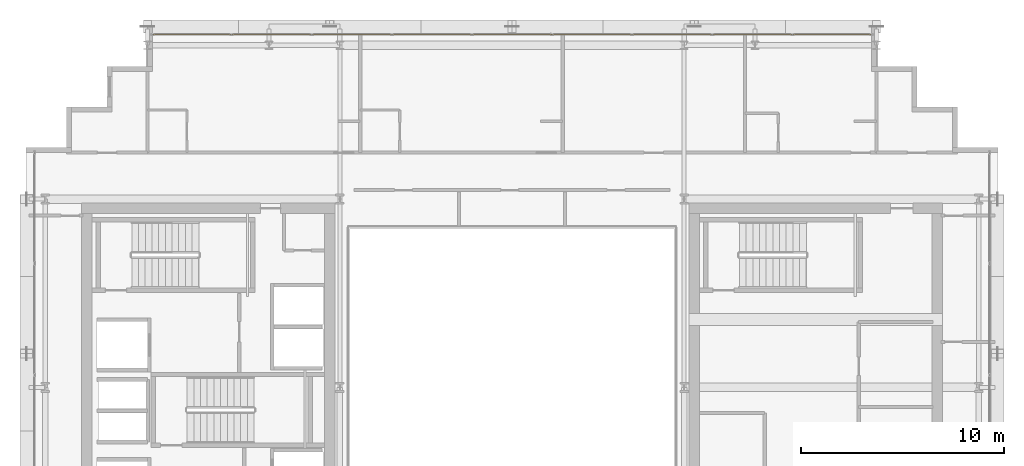
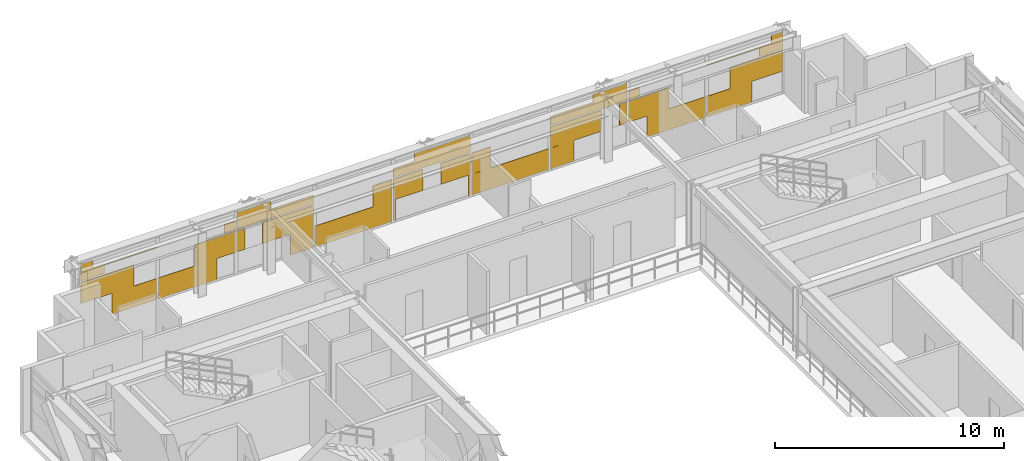
# One storey, part 32 of 32: 1 covering.
"""IFC4 building model written with IfcOpenShell, lengths in metres."""

import ifcopenshell
import ifcopenshell.guid

model = None  # the IFC model being written
_history = None  # IfcOwnerHistory: only IFC2X3 demands one
_inside = {}  # id of a spatial element -> (the spatial element, [elements in it])
_under = {}  # id of a project, library or spatial element -> (it, [spatial elements below it])
_declared = {}  # id of a project -> (the project, [libraries it declares])
_typed = {}  # id of a type object -> (the type object, [elements of that type])
_made_of = {}  # id of a material, layer set ... -> (it, [elements and type objects made of it])


def new_model(schema):
    """Start an empty IFC model of exactly this schema.

    Asked for "IFC4X3", IfcOpenShell would pick the latest addendum, in which some entities
    have other attributes; the version numbers below select the first issue.
    IFC2X3 requires an IfcOwnerHistory on every rooted entity: one is made here for all.
    """
    global model, _history
    if schema == "IFC4X3":
        model = ifcopenshell.file(schema_version=(4, 3, 0, 0))
    else:
        model = ifcopenshell.file(schema=schema)
    _inside.clear()
    _under.clear()
    _declared.clear()
    _typed.clear()
    _made_of.clear()
    _history = None
    if model.schema == "IFC2X3":
        org = make("IfcOrganization", Name="unknown")
        user = make(
            "IfcPersonAndOrganization",
            ThePerson=make("IfcPerson", FamilyName="unknown"),
            TheOrganization=org,
        )
        app = make(
            "IfcApplication",
            ApplicationDeveloper=org,
            Version="unknown",
            ApplicationFullName="unknown",
            ApplicationIdentifier="unknown",
        )
        _history = make(
            "IfcOwnerHistory",
            OwningUser=user,
            OwningApplication=app,
            ChangeAction="ADDED",
            CreationDate=0,
        )
    return model


def make(cls, **values):
    """One entity of the class cls with the attributes given. An attribute that is None is left unset."""
    return model.create_entity(
        cls, **{name: value for name, value in values.items() if value is not None}
    )


def rooted(cls, **values):
    """An entity with a GlobalId (a new one), such as an element, a storey or a relation."""
    return make(cls, GlobalId=ifcopenshell.guid.new(), OwnerHistory=_history, **values)


def si_unit(unit_type, name, prefix=None):
    """IfcSIUnit, for example si_unit("LENGTHUNIT", "METRE", prefix="MILLI")."""
    return make("IfcSIUnit", UnitType=unit_type, Prefix=prefix, Name=name)


def assignment(units):
    """IfcUnitAssignment: the units of a project."""
    return None if units is None else make("IfcUnitAssignment", Units=units)


def point(xyz):
    """IfcCartesianPoint."""
    return None if xyz is None else make("IfcCartesianPoint", Coordinates=xyz)


def direction(xyz):
    """IfcDirection."""
    return None if xyz is None else make("IfcDirection", DirectionRatios=xyz)


def frame(location, z_axis=None, x_axis=None):
    """IfcAxis2Placement3D, a coordinate frame: its origin and axes. An axis left out is left unset."""
    return make(
        "IfcAxis2Placement3D",
        Location=point(location),
        Axis=direction(z_axis),
        RefDirection=direction(x_axis),
    )


def frame_2d(location, x_axis=None):
    """IfcAxis2Placement2D, a coordinate frame in the plane: its origin and x axis."""
    return make(
        "IfcAxis2Placement2D", Location=point(location), RefDirection=direction(x_axis)
    )


def origin():
    """The frame at (0, 0, 0) with its axes left unset."""
    return frame((0.0, 0.0, 0.0))


def origin_2d():
    """The frame at (0, 0) in the plane with its x axis left unset."""
    return frame_2d((0.0, 0.0))


def place(relative_to, where):
    """IfcLocalPlacement: puts the frame where relative to a parent placement (None: the world)."""
    return make(
        "IfcLocalPlacement", PlacementRelTo=relative_to, RelativePlacement=where
    )


def context(
    kind, dimensions, precision=None, world=None, true_north=None, identifier=None
):
    """IfcGeometricRepresentationContext, for example the 3D "Model" context."""
    return make(
        "IfcGeometricRepresentationContext",
        ContextIdentifier=identifier,
        ContextType=kind,
        CoordinateSpaceDimension=dimensions,
        Precision=precision,
        WorldCoordinateSystem=world,
        TrueNorth=true_north,
    )


def subcontext(parent, identifier, kind, view, scale=None):
    """IfcGeometricRepresentationSubContext, for example "Body" below "Model"."""
    return make(
        "IfcGeometricRepresentationSubContext",
        ContextIdentifier=identifier,
        ContextType=kind,
        ParentContext=parent,
        TargetScale=scale,
        TargetView=view,
    )


def project(units=None, contexts=None):
    """IfcProject with its units and contexts."""
    return rooted(
        "IfcProject",
        Name="project",
        RepresentationContexts=contexts,
        UnitsInContext=assignment(units),
    )


def spatial(cls, under=None, at=None, **own):
    """A site, building, storey or space (cls), placed at a placement, below another one or the project."""
    s = rooted(cls, ObjectPlacement=at, **own)
    if under is not None:
        _under.setdefault(under.id(), (under, []))[1].append(s)
    return s


def profile(cls, at=None, kind="AREA", **sizes):
    """A parametric profile (cls). Its sizes go by their IFC names, for example OverallWidth=200.0."""
    return make(cls, ProfileType=kind, Position=at, **sizes)


def rectangle(**sizes):
    """IfcRectangleProfileDef."""
    return profile("IfcRectangleProfileDef", **sizes)


def extrude(swept, where, along, depth):
    """IfcExtrudedAreaSolid: the profile swept, set in the frame where, extruded along a direction by depth."""
    return make(
        "IfcExtrudedAreaSolid",
        SweptArea=swept,
        Position=where,
        ExtrudedDirection=direction(along),
        Depth=depth,
    )


def shape(context_of_items, identifier, shape_type, items):
    """IfcShapeRepresentation: the items that make up one representation, for example the "Body"."""
    return make(
        "IfcShapeRepresentation",
        ContextOfItems=context_of_items,
        RepresentationIdentifier=identifier,
        RepresentationType=shape_type,
        Items=items,
    )


def material(Name=None, Category=None):
    """IfcMaterial."""
    return make("IfcMaterial", Name=Name, Category=Category)


def layer(
    of_material, thickness, ventilated=None, Name=None, Category=None, Priority=None
):
    """IfcMaterialLayer: one layer of a wall or slab, of a material (None: an air gap)."""
    return make(
        "IfcMaterialLayer",
        Material=of_material,
        LayerThickness=thickness,
        IsVentilated=ventilated,
        Name=Name,
        Category=Category,
        Priority=Priority,
    )


def layer_set(layers, Name=None):
    """IfcMaterialLayerSet."""
    return make("IfcMaterialLayerSet", MaterialLayers=layers, LayerSetName=Name)


def made_of(thing, what):
    """Note that an element or type object is made of a material, layer set ...; save() writes the relation."""
    if what is not None:
        _made_of.setdefault(what.id(), (what, []))[1].append(thing)
    return thing


def type_object(cls, material=None, **own):
    """A type object (cls), such as IfcWallType, which elements share."""
    return made_of(rooted(cls, **own), material)


def element(
    cls,
    number,
    at=None,
    inside=None,
    cuts=None,
    type_object=None,
    material=None,
    context=None,
    identifier="Body",
    shape_type=None,
    held_by="IfcProductDefinitionShape",
    body=None,
    shapes=None,
    **own,
):
    """One element of the class cls, such as IfcWall. Its Tag is "e" and its number.

    at: its placement. inside: the storey or other place that contains it. cuts: it is an
    opening in that element (IfcRelVoidsElement). A single representation is given by context,
    identifier, shape_type and body (its items); several are given by shapes. held_by: the class
    of the entity that holds the representations. save() writes the other relations.
    """
    e = rooted(cls, Tag="e%d" % number, ObjectPlacement=at, **own)
    if body is not None:
        shapes = [shape(context, identifier, shape_type, body)]
    if shapes is not None:
        e.Representation = make(held_by, Representations=shapes)
    if inside is not None:
        _inside.setdefault(inside.id(), (inside, []))[1].append(e)
    if cuts is not None:
        rooted(
            "IfcRelVoidsElement", RelatingBuildingElement=cuts, RelatedOpeningElement=e
        )
    if type_object is not None:
        _typed.setdefault(type_object.id(), (type_object, []))[1].append(e)
    return made_of(e, material)


def aggregate(whole, parts):
    """IfcRelAggregates: a whole, such as a stair, and the parts it consists of."""
    return rooted("IfcRelAggregates", RelatingObject=whole, RelatedObjects=parts)


def save(model, path):
    """Write the relations noted so far, then the file.

    IfcRelAggregates (storeys below a building ...), IfcRelContainedInSpatialStructure (elements
    in a storey), IfcRelDefinesByType, IfcRelAssociatesMaterial and IfcRelDeclares: one each for
    every whole, place, type object, material and project.
    """
    for whole, parts in _under.values():
        aggregate(whole, parts)
    for where, things in _inside.values():
        rooted(
            "IfcRelContainedInSpatialStructure",
            RelatedElements=things,
            RelatingStructure=where,
        )
    for kind, things in _typed.values():
        rooted("IfcRelDefinesByType", RelatedObjects=things, RelatingType=kind)
    for what, things in _made_of.values():
        rooted("IfcRelAssociatesMaterial", RelatedObjects=things, RelatingMaterial=what)
    for by, libraries in _declared.values():
        rooted("IfcRelDeclares", RelatingContext=by, RelatedDefinitions=libraries)
    model.write(path)


model = new_model("IFC4")

# Units and contexts
model_context = context("Model", 3, precision=1e-05, world=origin(), true_north=direction((0.0, 1.0)))
body_context = subcontext(model_context, "Body", "Model", "MODEL_VIEW")
ifc_project = project(units=[si_unit("LENGTHUNIT", "METRE"), si_unit("AREAUNIT", "SQUARE_METRE"), si_unit("VOLUMEUNIT", "CUBIC_METRE"), si_unit("PLANEANGLEUNIT", "RADIAN"), si_unit("MASSUNIT", "GRAM", prefix="KILO")], contexts=[model_context])

# Site, building, storey
site_placement = place(None, origin())
site = spatial("IfcSite", under=ifc_project, at=site_placement, CompositionType="ELEMENT")
building_placement = place(site_placement, origin())
building = spatial("IfcBuilding", under=site, at=building_placement, Name="Ocotamira Hotel", CompositionType="ELEMENT")
storey_placement = place(building_placement, frame((0.0, 0.0, 213.60009765625)))
storey = spatial("IfcBuildingStorey", under=building, at=storey_placement, Name="L54", CompositionType="ELEMENT", Elevation=213.60009765625)

# Covering
ifc_material = material(Name="Insulated pale-metal aluminium spandrel panel", Category="aluminium")
ifc_layer = layer(ifc_material, 0.044921875)
ifc_layer_set = layer_set([ifc_layer], Name="Insulated pale-metal aluminium spandrel panel")
covering_type = type_object("IfcCoveringType", Name="COV-INFILL-45", PredefinedType="CLADDING", material=ifc_layer_set)
covering_placement = place(storey_placement, origin())
element("IfcCovering", 1, at=covering_placement, inside=storey, type_object=covering_type, Name="L54 Curtain Wall Infill CW-4 CW-L54-N", PredefinedType="CLADDING", context=body_context, shape_type="SweptSolid", body=[
    extrude(rectangle(XDim=2.68701171875, YDim=0.044921875, at=origin_2d()), frame((15.6240234375, 45.580078125, 1.19384765625), z_axis=(0.0, 0.0, 1.0), x_axis=(1.0, 0.0, 0.0)), (0.0, 0.0, 1.0), 1.117919921875),
    extrude(rectangle(XDim=2.26708984375, YDim=0.044921875, at=origin_2d()), frame((16.9814453125, 45.580078125, 0.075439453125), z_axis=(0.0, 0.0, 1.0), x_axis=(1.0, 0.0, 0.0)), (0.0, 0.0, 1.0), 1.11767578125),
    extrude(rectangle(XDim=1.19482421875, YDim=0.044921875, at=origin_2d()), frame((14.8779296875, 45.580078125, 2.3876953125), z_axis=(0.0, 0.0, 1.0), x_axis=(1.0, 0.0, 0.0)), (0.0, 0.0, 1.0), 0.440185546875),
    extrude(rectangle(XDim=3.834716796875, YDim=0.044921875, at=origin_2d()), frame((16.19775390625, 45.580078125, 2.8291015625), z_axis=(0.0, 0.0, 1.0), x_axis=(1.0, 0.0, 0.0)), (0.0, 0.0, 1.0), 0.03271484375),
    extrude(rectangle(XDim=0.601318359375, YDim=0.044921875, at=origin_2d()), frame((14.581298828125, 45.580078125, 2.86279296875), z_axis=(0.0, 0.0, 1.0), x_axis=(1.0, 0.0, 0.0)), (0.0, 0.0, 1.0), 0.431640625),
    extrude(rectangle(XDim=2.955810546875, YDim=0.044921875, at=origin_2d()), frame((19.674072265625, 45.580078125, 0.075439453125), z_axis=(0.0, 0.0, 1.0), x_axis=(1.0, 0.0, 0.0)), (0.0, 0.0, 1.0), 1.11767578125),
    extrude(rectangle(XDim=2.0380859375, YDim=0.044921875, at=origin_2d()), frame((21.051513671875, 45.580078125, 1.19384765625), z_axis=(0.0, 0.0, 1.0), x_axis=(1.0, 0.0, 0.0)), (0.0, 0.0, 1.0), 1.117919921875),
    extrude(rectangle(XDim=0.5458984375, YDim=0.044921875, at=origin_2d()), frame((21.797607421875, 45.580078125, 2.3876953125), z_axis=(0.0, 0.0, 1.0), x_axis=(1.0, 0.0, 0.0)), (0.0, 0.0, 1.0), 0.473876953125),
    extrude(rectangle(XDim=0.398681640625, YDim=0.044921875, at=origin_2d()), frame((22.35107421875, 45.580078125, 1.19384765625), z_axis=(0.0, 0.0, 1.0), x_axis=(1.0, 0.0, 0.0)), (0.0, 0.0, 1.0), 1.117919921875),
    extrude(rectangle(XDim=2.57666015625, YDim=0.044921875, at=origin_2d()), frame((24.73779296875, 45.580078125, 1.19384765625), z_axis=(0.0, 0.0, 1.0), x_axis=(1.0, 0.0, 0.0)), (0.0, 0.0, 1.0), 1.117919921875),
    extrude(rectangle(XDim=1.177978515625, YDim=0.044921875, at=origin_2d()), frame((25.43701171875, 45.580078125, 0.075439453125), z_axis=(0.0, 0.0, 1.0), x_axis=(1.0, 0.0, 0.0)), (0.0, 0.0, 1.0), 1.11767578125),
    extrude(rectangle(XDim=3.87451171875, YDim=0.044921875, at=origin_2d()), frame((24.0888671875, 45.580078125, 2.3876953125), z_axis=(0.0, 0.0, 1.0), x_axis=(1.0, 0.0, 0.0)), (0.0, 0.0, 1.0), 0.473876953125),
    extrude(rectangle(XDim=1.730224609375, YDim=0.044921875, at=origin_2d()), frame((23.0166015625, 45.580078125, 2.86279296875), z_axis=(0.0, 0.0, 1.0), x_axis=(1.0, 0.0, 0.0)), (0.0, 0.0, 1.0), 0.431640625),
    extrude(rectangle(XDim=3.87451171875, YDim=0.044921875, at=origin_2d()), frame((28.04443359375, 45.580078125, 0.075439453125), z_axis=(0.0, 0.0, 1.0), x_axis=(1.0, 0.0, 0.0)), (0.0, 0.0, 1.0), 1.11767578125),
    extrude(rectangle(XDim=0.94921875, YDim=0.044921875, at=origin_2d()), frame((29.507080078125, 45.580078125, 1.19384765625), z_axis=(0.0, 0.0, 1.0), x_axis=(1.0, 0.0, 0.0)), (0.0, 0.0, 1.0), 1.117919921875),
    extrude(rectangle(XDim=0.089111328125, YDim=0.044921875, at=origin_2d()), frame((30.107421875, 45.580078125, 0.075439453125), z_axis=(0.0, 0.0, 1.0), x_axis=(1.0, 0.0, 0.0)), (0.0, 0.0, 1.0), 1.11767578125),
    extrude(rectangle(XDim=1.48779296875, YDim=0.044921875, at=origin_2d()), frame((30.806640625, 45.580078125, 1.19384765625), z_axis=(0.0, 0.0, 1.0), x_axis=(1.0, 0.0, 0.0)), (0.0, 0.0, 1.0), 1.117919921875),
    extrude(rectangle(XDim=1.48779296875, YDim=0.044921875, at=origin_2d()), frame((33.193359375, 45.580078125, 1.19384765625), z_axis=(0.0, 0.0, 1.0), x_axis=(1.0, 0.0, 0.0)), (0.0, 0.0, 1.0), 1.117919921875),
    extrude(rectangle(XDim=0.089111328125, YDim=0.044921875, at=origin_2d()), frame((33.892578125, 45.580078125, 0.075439453125), z_axis=(0.0, 0.0, 1.0), x_axis=(1.0, 0.0, 0.0)), (0.0, 0.0, 1.0), 1.11767578125),
    extrude(rectangle(XDim=3.87451171875, YDim=0.044921875, at=origin_2d()), frame((32.0, 45.580078125, 2.3876953125), z_axis=(0.0, 0.0, 1.0), x_axis=(1.0, 0.0, 0.0)), (0.0, 0.0, 1.0), 0.473876953125),
    extrude(rectangle(XDim=2.819091796875, YDim=0.044921875, at=origin_2d()), frame((32.527587890625, 45.580078125, 2.86279296875), z_axis=(0.0, 0.0, 1.0), x_axis=(1.0, 0.0, 0.0)), (0.0, 0.0, 1.0), 0.431640625),
    extrude(rectangle(XDim=3.87451171875, YDim=0.044921875, at=origin_2d()), frame((35.95556640625, 45.580078125, 0.075439453125), z_axis=(0.0, 0.0, 1.0), x_axis=(1.0, 0.0, 0.0)), (0.0, 0.0, 1.0), 1.11767578125),
    extrude(rectangle(XDim=0.94921875, YDim=0.044921875, at=origin_2d()), frame((34.492919921875, 45.580078125, 1.19384765625), z_axis=(0.0, 0.0, 1.0), x_axis=(1.0, 0.0, 0.0)), (0.0, 0.0, 1.0), 1.117919921875),
    extrude(rectangle(XDim=1.177978515625, YDim=0.044921875, at=origin_2d()), frame((38.56298828125, 45.580078125, 0.075439453125), z_axis=(0.0, 0.0, 1.0), x_axis=(1.0, 0.0, 0.0)), (0.0, 0.0, 1.0), 1.11767578125),
    extrude(rectangle(XDim=2.57666015625, YDim=0.044921875, at=origin_2d()), frame((39.26220703125, 45.580078125, 1.19384765625), z_axis=(0.0, 0.0, 1.0), x_axis=(1.0, 0.0, 0.0)), (0.0, 0.0, 1.0), 1.117919921875),
    extrude(rectangle(XDim=0.398681640625, YDim=0.044921875, at=origin_2d()), frame((41.64892578125, 45.580078125, 1.19384765625), z_axis=(0.0, 0.0, 1.0), x_axis=(1.0, 0.0, 0.0)), (0.0, 0.0, 1.0), 1.117919921875),
    extrude(rectangle(XDim=3.87451171875, YDim=0.044921875, at=origin_2d()), frame((39.9111328125, 45.580078125, 2.3876953125), z_axis=(0.0, 0.0, 1.0), x_axis=(1.0, 0.0, 0.0)), (0.0, 0.0, 1.0), 0.473876953125),
    extrude(rectangle(XDim=1.730224609375, YDim=0.044921875, at=origin_2d()), frame((40.9833984375, 45.580078125, 2.86279296875), z_axis=(0.0, 0.0, 1.0), x_axis=(1.0, 0.0, 0.0)), (0.0, 0.0, 1.0), 0.431640625),
    extrude(rectangle(XDim=2.0380859375, YDim=0.044921875, at=origin_2d()), frame((42.948486328125, 45.580078125, 1.19384765625), z_axis=(0.0, 0.0, 1.0), x_axis=(1.0, 0.0, 0.0)), (0.0, 0.0, 1.0), 1.117919921875),
    extrude(rectangle(XDim=2.955810546875, YDim=0.044921875, at=origin_2d()), frame((44.325927734375, 45.580078125, 0.075439453125), z_axis=(0.0, 0.0, 1.0), x_axis=(1.0, 0.0, 0.0)), (0.0, 0.0, 1.0), 1.11767578125),
    extrude(rectangle(XDim=0.5458984375, YDim=0.044921875, at=origin_2d()), frame((42.202392578125, 45.580078125, 2.3876953125), z_axis=(0.0, 0.0, 1.0), x_axis=(1.0, 0.0, 0.0)), (0.0, 0.0, 1.0), 0.473876953125),
    extrude(rectangle(XDim=2.26708984375, YDim=0.044921875, at=origin_2d()), frame((47.0185546875, 45.580078125, 0.075439453125), z_axis=(0.0, 0.0, 1.0), x_axis=(1.0, 0.0, 0.0)), (0.0, 0.0, 1.0), 1.11767578125),
    extrude(rectangle(XDim=2.68701171875, YDim=0.044921875, at=origin_2d()), frame((48.3759765625, 45.580078125, 1.19384765625), z_axis=(0.0, 0.0, 1.0), x_axis=(1.0, 0.0, 0.0)), (0.0, 0.0, 1.0), 1.117919921875),
    extrude(rectangle(XDim=3.834716796875, YDim=0.044921875, at=origin_2d()), frame((47.80224609375, 45.580078125, 2.8291015625), z_axis=(0.0, 0.0, 1.0), x_axis=(1.0, 0.0, 0.0)), (0.0, 0.0, 1.0), 0.03271484375),
    extrude(rectangle(XDim=1.19482421875, YDim=0.044921875, at=origin_2d()), frame((49.1220703125, 45.580078125, 2.3876953125), z_axis=(0.0, 0.0, 1.0), x_axis=(1.0, 0.0, 0.0)), (0.0, 0.0, 1.0), 0.440185546875),
    extrude(rectangle(XDim=0.601318359375, YDim=0.044921875, at=origin_2d()), frame((49.418701171875, 45.580078125, 2.86279296875), z_axis=(0.0, 0.0, 1.0), x_axis=(1.0, 0.0, 0.0)), (0.0, 0.0, 1.0), 0.431640625),
])

save(model, "model.ifc")
